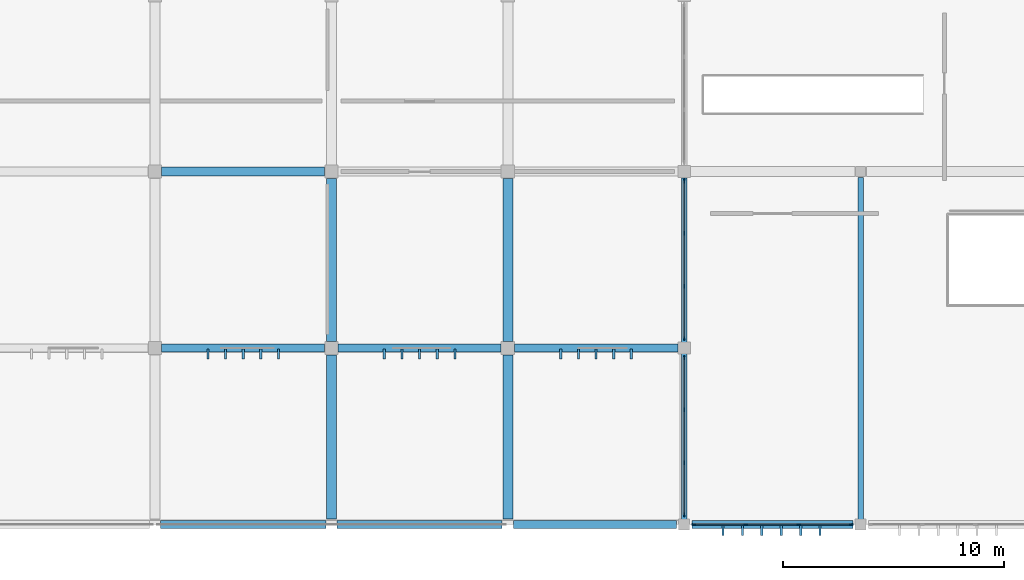
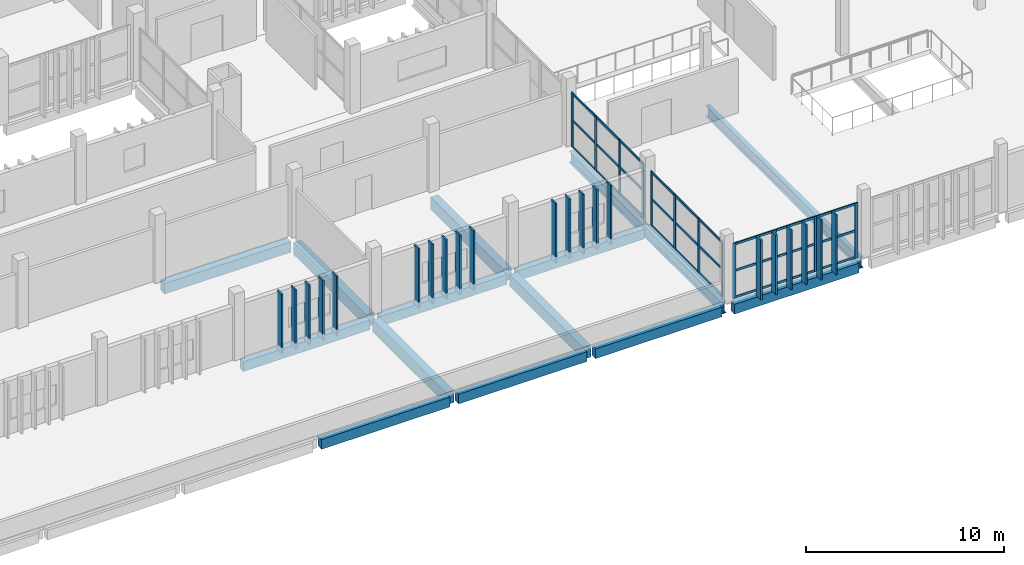
# One storey, part 53 of 137: 60 members, 14 beams, 3 elements without a shape of their own.
"""IFC4 building model written with IfcOpenShell, lengths in metres."""

from ifc_helpers import new_model, si_unit, direction, frame, origin, origin_2d, place, context, subcontext, project, spatial, rectangle, i_section, extrude, material, layer, layer_set, material_profile, profile_set, type_object, element, aggregate, save


model = new_model("IFC4")

# Units and contexts
model_context = context("Model", 3, precision=1e-05, world=origin(), true_north=direction((0.0, 1.0)))
body_context = subcontext(model_context, "Body", "Model", "MODEL_VIEW")
ifc_project = project(units=[si_unit("LENGTHUNIT", "METRE"), si_unit("AREAUNIT", "SQUARE_METRE"), si_unit("VOLUMEUNIT", "CUBIC_METRE"), si_unit("PLANEANGLEUNIT", "RADIAN"), si_unit("MASSUNIT", "GRAM", prefix="KILO")], contexts=[model_context])

# Site, building, storey
site_placement = place(None, origin())
site = spatial("IfcSite", under=ifc_project, at=site_placement, CompositionType="ELEMENT")
building_placement = place(site_placement, origin())
building = spatial("IfcBuilding", under=site, at=building_placement, Name="Jelvoka-Kovrelna Polytechnic", CompositionType="ELEMENT")
storey_placement = place(building_placement, frame((0.0, 0.0, 9.60009765625)))
storey = spatial("IfcBuildingStorey", under=building, at=storey_placement, Name="L03", CompositionType="ELEMENT", Elevation=9.60009765625)

# Beams
ifc_material_1 = material(Name="Concrete C40/50", Category="concrete")
ifc_material_profile_1 = material_profile(ifc_material_1, rectangle(XDim=0.39990234375, YDim=0.64990234375, at=origin_2d()), Name="RC 400x650")
ifc_profile_set_1 = profile_set([ifc_material_profile_1], Name="Concrete C40/50")
beam_type_1 = type_object("IfcBeamType", Name="Beam_RC_400x650", PredefinedType="BEAM", material=ifc_profile_set_1)
beam_1_placement = place(storey_placement, frame((136.304931640625, 16.0, -0.590087890625), z_axis=(1.0, 0.0, 0.0), x_axis=(0.0, 1.0, 0.0)))
element("IfcBeam", 1, at=beam_1_placement, inside=storey, type_object=beam_type_1, Name="L03 beam 0908", PredefinedType="BEAM", context=body_context, shape_type="SweptSolid", body=[
    extrude(rectangle(XDim=0.39990234375, YDim=0.64990234375, at=origin_2d()), origin(), (0.0, 0.0, 1.0), 7.39013671875),
])
ifc_material_2 = material(Name="Concrete C40/50", Category="concrete")
ifc_material_profile_2 = material_profile(ifc_material_2, rectangle(XDim=0.449951171875, YDim=0.75, at=origin_2d()), Name="RC 450x750")
ifc_profile_set_2 = profile_set([ifc_material_profile_2], Name="Concrete C40/50")
beam_type_2 = type_object("IfcBeamType", Name="Beam_RC_450x750", PredefinedType="BEAM", material=ifc_profile_set_2)
for number, where, z_axis, x_axis, name in (
    (2, (144.0, 8.304931640625, -0.64013671875), (0.0, 1.0, 0.0), (-1.0, 0.0, 0.0), "L03 beam 0923"),
    (3, (152.0, 8.304931640625, -0.64013671875), (0.0, 1.0, 0.0), (-1.0, 0.0, 0.0), "L03 beam 0925"),
):
    element("IfcBeam", number, at=place(storey_placement, frame(where, z_axis=z_axis, x_axis=x_axis)), inside=storey, type_object=beam_type_2, Name=name, PredefinedType="BEAM", context=body_context, shape_type="SweptSolid", body=[
        extrude(rectangle(XDim=0.449951171875, YDim=0.75, at=origin_2d()), origin(), (0.0, 0.0, 1.0), 7.39013671875),
    ])
for number, where, z_axis, x_axis, name in (
    (4, (144.0, 0.2548828125, -0.565185546875), (0.0, 1.0, 0.0), (-1.0, 0.0, 0.0), "L03 beam 2059"),
    (5, (152.0, 0.2548828125, -0.565185546875), (0.0, 1.0, 0.0), (-1.0, 0.0, 0.0), "L03 beam 2060"),
):
    element("IfcBeam", number, at=place(storey_placement, frame(where, z_axis=z_axis, x_axis=x_axis)), inside=storey, type_object=beam_type_2, Name=name, PredefinedType="BEAM", context=body_context, shape_type="SweptSolid", body=[
        extrude(rectangle(XDim=0.449951171875, YDim=0.75, at=origin_2d()), origin(), (0.0, 0.0, 1.0), 7.440185546875),
    ])
ifc_material_3 = material(Name="Structural steel S355JR", Category="steel")
ifc_material_profile_3 = material_profile(ifc_material_3, i_section(OverallWidth=0.2529296875, OverallDepth=0.677978515625, WebThickness=0.01171875, FlangeThickness=0.01611328125, FilletRadius=0.01513671875, at=origin_2d()), Name="686x254x125 UB")
ifc_profile_set_3 = profile_set([ifc_material_profile_3], Name="Structural steel S355JR")
beam_type_3 = type_object("IfcBeamType", Name="Girder_Steel_UB686", PredefinedType="BEAM", material=ifc_profile_set_3)
beam_2_placement = place(storey_placement, frame((160.0, 0.22998046875, -0.6240234375), z_axis=(0.0, 1.0, 0.0), x_axis=(-1.0, 0.0, 0.0)))
element("IfcBeam", 6, at=beam_2_placement, inside=storey, type_object=beam_type_3, Name="L03 beam 0207", PredefinedType="BEAM", context=body_context, shape_type="SweptSolid", body=[
    extrude(i_section(OverallWidth=0.2529296875, OverallDepth=0.677978515625, WebThickness=0.01171875, FlangeThickness=0.01611328125, FilletRadius=0.01513671875, at=origin_2d()), origin(), (0.0, 0.0, 1.0), 15.489990234375),
])
beam_3_placement = place(storey_placement, frame((168.0, 0.22998046875, -0.6240234375), z_axis=(0.0, 1.0, 0.0), x_axis=(-1.0, 0.0, 0.0)))
element("IfcBeam", 7, at=beam_3_placement, inside=storey, type_object=beam_type_3, Name="L03 beam 0209", PredefinedType="BEAM", context=body_context, shape_type="SweptSolid", body=[
    extrude(i_section(OverallWidth=0.2529296875, OverallDepth=0.677978515625, WebThickness=0.01171875, FlangeThickness=0.01611328125, FilletRadius=0.01513671875, at=origin_2d()), origin(), (0.0, 0.0, 1.0), 15.51513671875),
])

# Members
ifc_material_4 = material(Name="Precast concrete C40/50", Category="concrete")
ifc_material_profile_4 = material_profile(ifc_material_4, rectangle(XDim=0.10009765625, YDim=0.449951171875, at=origin_2d()), Name="PC 100x450")
ifc_profile_set_4 = profile_set([ifc_material_profile_4], Name="Precast concrete C40/50")
member_type_1 = type_object("IfcMemberType", Name="Louvre_Fin_100x450", PredefinedType="USERDEFINED", material=ifc_profile_set_4)
for number, where, z_axis, x_axis, name in (
    (8, (138.39990234375, 7.735107421875, -0.27001953125), (0.0, 0.0, 1.0), (1.0, 0.0, 0.0), "L03 B1 south vertical solar louvre fin 0311"),
    (9, (139.199951171875, 7.735107421875, -0.27001953125), (0.0, 0.0, 1.0), (1.0, 0.0, 0.0), "L03 B1 south vertical solar louvre fin 0312"),
    (10, (140.0, 7.735107421875, -0.27001953125), (0.0, 0.0, 1.0), (1.0, 0.0, 0.0), "L03 B1 south vertical solar louvre fin 0313"),
    (11, (140.800048828125, 7.735107421875, -0.27001953125), (0.0, 0.0, 1.0), (1.0, 0.0, 0.0), "L03 B1 south vertical solar louvre fin 0314"),
    (12, (141.60009765625, 7.735107421875, -0.27001953125), (0.0, 0.0, 1.0), (1.0, 0.0, 0.0), "L03 B1 south vertical solar louvre fin 0315"),
    (13, (146.39990234375, 7.735107421875, -0.27001953125), (0.0, 0.0, 1.0), (1.0, 0.0, 0.0), "L03 B1 south vertical solar louvre fin 0321"),
    (14, (147.199951171875, 7.735107421875, -0.27001953125), (0.0, 0.0, 1.0), (1.0, 0.0, 0.0), "L03 B1 south vertical solar louvre fin 0322"),
    (15, (148.0, 7.735107421875, -0.27001953125), (0.0, 0.0, 1.0), (1.0, 0.0, 0.0), "L03 B1 south vertical solar louvre fin 0323"),
    (16, (148.800048828125, 7.735107421875, -0.27001953125), (0.0, 0.0, 1.0), (1.0, 0.0, 0.0), "L03 B1 south vertical solar louvre fin 0324"),
    (17, (149.60009765625, 7.735107421875, -0.27001953125), (0.0, 0.0, 1.0), (1.0, 0.0, 0.0), "L03 B1 south vertical solar louvre fin 0325"),
    (18, (154.39990234375, 7.735107421875, -0.27001953125), (0.0, 0.0, 1.0), (1.0, 0.0, 0.0), "L03 B1 south vertical solar louvre fin 0326"),
    (19, (155.199951171875, 7.735107421875, -0.27001953125), (0.0, 0.0, 1.0), (1.0, 0.0, 0.0), "L03 B1 south vertical solar louvre fin 0327"),
    (20, (156.0, 7.735107421875, -0.27001953125), (0.0, 0.0, 1.0), (1.0, 0.0, 0.0), "L03 B1 south vertical solar louvre fin 0328"),
    (21, (156.800048828125, 7.735107421875, -0.27001953125), (0.0, 0.0, 1.0), (1.0, 0.0, 0.0), "L03 B1 south vertical solar louvre fin 0329"),
    (22, (157.60009765625, 7.735107421875, -0.27001953125), (0.0, 0.0, 1.0), (1.0, 0.0, 0.0), "L03 B1 south vertical solar louvre fin 0330"),
):
    element("IfcMember", number, at=place(storey_placement, frame(where, z_axis=z_axis, x_axis=x_axis)), inside=storey, type_object=member_type_1, Name=name, ObjectType="SUNSHADE", PredefinedType="USERDEFINED", context=body_context, shape_type="SweptSolid", body=[
        extrude(rectangle(XDim=0.10009765625, YDim=0.449951171875, at=origin_2d()), origin(), (0.0, 0.0, 1.0), 3.64501953125),
    ])
for number, where, z_axis, x_axis, name in (
    (23, (161.760009765625, -0.264892578125, -0.2900390625), (0.0, 0.0, 1.0), (1.0, 0.0, 0.0), "L03 V5 south solar louvre fin 2566"),
    (24, (162.639892578125, -0.264892578125, -0.2900390625), (0.0, 0.0, 1.0), (1.0, 0.0, 0.0), "L03 V5 south solar louvre fin 2567"),
    (25, (163.52001953125, -0.264892578125, -0.2900390625), (0.0, 0.0, 1.0), (1.0, 0.0, 0.0), "L03 V5 south solar louvre fin 2568"),
    (26, (164.39990234375, -0.264892578125, -0.2900390625), (0.0, 0.0, 1.0), (1.0, 0.0, 0.0), "L03 V5 south solar louvre fin 2569"),
    (27, (165.280029296875, -0.264892578125, -0.2900390625), (0.0, 0.0, 1.0), (1.0, 0.0, 0.0), "L03 V5 south solar louvre fin 2570"),
    (28, (166.159912109375, -0.264892578125, -0.2900390625), (0.0, 0.0, 1.0), (1.0, 0.0, 0.0), "L03 V5 south solar louvre fin 2571"),
):
    element("IfcMember", number, at=place(storey_placement, frame(where, z_axis=z_axis, x_axis=x_axis)), inside=storey, type_object=member_type_1, Name=name, ObjectType="SUNSHADE", PredefinedType="USERDEFINED", context=body_context, shape_type="SweptSolid", body=[
        extrude(rectangle(XDim=0.10009765625, YDim=0.449951171875, at=origin_2d()), origin(), (0.0, 0.0, 1.0), 3.68994140625),
    ])

# Curtain wall, members
ifc_material_5 = material(Name="Anodised aluminium 6063-T6", Category="aluminium")
ifc_layer = layer(ifc_material_5, 0.179931640625)
ifc_layer_set = layer_set([ifc_layer], Name="Anodised aluminium 6063-T6")
curtain_wall_type = type_object("IfcCurtainWallType", Name="CW_Pavilion", PredefinedType="NOTDEFINED", material=ifc_layer_set)
curtain_wall_1_placement = place(storey_placement, origin())
curtain_wall_1 = element("IfcCurtainWall", 29, at=curtain_wall_1_placement, inside=storey, type_object=curtain_wall_type, Name="L03 glazed curtain wall 290", PredefinedType="NOTDEFINED")
ifc_material_6 = material(Name="Anodised aluminium 6063-T6", Category="aluminium")
ifc_material_profile_5 = material_profile(ifc_material_6, rectangle(XDim=0.06494140625, YDim=0.179931640625, at=origin_2d()), Name="ALU 65x180")
ifc_profile_set_5 = profile_set([ifc_material_profile_5], Name="Anodised aluminium 6063-T6")
member_type_2 = type_object("IfcMemberType", Name="Mullion_M-05", PredefinedType="MULLION", material=ifc_profile_set_5)
member_1_placement = place(storey_placement, frame((167.5673828125, 0.0, -0.02490234375), z_axis=(0.0, 0.0, 1.0), x_axis=(0.0, -1.0, 0.0)))
member_1 = element("IfcMember", 30, at=member_1_placement, type_object=member_type_2, Name="CW-05 mullion 1", PredefinedType="MULLION", context=body_context, shape_type="SweptSolid", body=[
    extrude(rectangle(XDim=0.06494140625, YDim=0.179931640625, at=origin_2d()), origin(), (0.0, 0.0, 1.0), 3.39990234375),
])
member_2_placement = place(storey_placement, frame((165.199951171875, 0.0, -0.02490234375), z_axis=(0.0, 0.0, 1.0), x_axis=(0.0, -1.0, 0.0)))
member_2 = element("IfcMember", 31, at=member_2_placement, type_object=member_type_2, Name="CW-05 mullion 2", PredefinedType="MULLION", context=body_context, shape_type="SweptSolid", body=[
    extrude(rectangle(XDim=0.06494140625, YDim=0.179931640625, at=origin_2d()), origin(), (0.0, 0.0, 1.0), 3.39990234375),
])
member_3_placement = place(storey_placement, frame((162.800048828125, 0.0, -0.02490234375), z_axis=(0.0, 0.0, 1.0), x_axis=(0.0, -1.0, 0.0)))
member_3 = element("IfcMember", 32, at=member_3_placement, type_object=member_type_2, Name="CW-05 mullion 3", PredefinedType="MULLION", context=body_context, shape_type="SweptSolid", body=[
    extrude(rectangle(XDim=0.06494140625, YDim=0.179931640625, at=origin_2d()), origin(), (0.0, 0.0, 1.0), 3.39990234375),
])
member_4_placement = place(storey_placement, frame((160.4326171875, 0.0, -0.02490234375), z_axis=(0.0, 0.0, 1.0), x_axis=(0.0, -1.0, 0.0)))
member_4 = element("IfcMember", 33, at=member_4_placement, type_object=member_type_2, Name="CW-05 mullion 4", PredefinedType="MULLION", context=body_context, shape_type="SweptSolid", body=[
    extrude(rectangle(XDim=0.06494140625, YDim=0.179931640625, at=origin_2d()), origin(), (0.0, 0.0, 1.0), 3.39990234375),
])

curtain_wall_2_placement = place(storey_placement, origin())
curtain_wall_2 = element("IfcCurtainWall", 34, at=curtain_wall_2_placement, inside=storey, type_object=curtain_wall_type, Name="L03 glazed curtain wall 294", PredefinedType="NOTDEFINED")
member_5_placement = place(storey_placement, frame((160.0, 0.4326171875, -0.02490234375), z_axis=(0.0, 0.0, 1.0), x_axis=(-1.0, 0.0, 0.0)))
member_5 = element("IfcMember", 35, at=member_5_placement, type_object=member_type_2, Name="CW-05 mullion 1", PredefinedType="MULLION", context=body_context, shape_type="SweptSolid", body=[
    extrude(rectangle(XDim=0.06494140625, YDim=0.179931640625, at=origin_2d()), origin(), (0.0, 0.0, 1.0), 3.39990234375),
])
member_6_placement = place(storey_placement, frame((160.0, 2.800048828125, -0.02490234375), z_axis=(0.0, 0.0, 1.0), x_axis=(-1.0, 0.0, 0.0)))
member_6 = element("IfcMember", 36, at=member_6_placement, type_object=member_type_2, Name="CW-05 mullion 2", PredefinedType="MULLION", context=body_context, shape_type="SweptSolid", body=[
    extrude(rectangle(XDim=0.06494140625, YDim=0.179931640625, at=origin_2d()), origin(), (0.0, 0.0, 1.0), 3.39990234375),
])
member_7_placement = place(storey_placement, frame((160.0, 5.199951171875, -0.02490234375), z_axis=(0.0, 0.0, 1.0), x_axis=(-1.0, 0.0, 0.0)))
member_7 = element("IfcMember", 37, at=member_7_placement, type_object=member_type_2, Name="CW-05 mullion 3", PredefinedType="MULLION", context=body_context, shape_type="SweptSolid", body=[
    extrude(rectangle(XDim=0.06494140625, YDim=0.179931640625, at=origin_2d()), origin(), (0.0, 0.0, 1.0), 3.39990234375),
])
member_8_placement = place(storey_placement, frame((160.0, 7.5673828125, -0.02490234375), z_axis=(0.0, 0.0, 1.0), x_axis=(-1.0, 0.0, 0.0)))
member_8 = element("IfcMember", 38, at=member_8_placement, type_object=member_type_2, Name="CW-05 mullion 4", PredefinedType="MULLION", context=body_context, shape_type="SweptSolid", body=[
    extrude(rectangle(XDim=0.06494140625, YDim=0.179931640625, at=origin_2d()), origin(), (0.0, 0.0, 1.0), 3.39990234375),
])

curtain_wall_3_placement = place(storey_placement, origin())
curtain_wall_3 = element("IfcCurtainWall", 39, at=curtain_wall_3_placement, inside=storey, type_object=curtain_wall_type, Name="L03 glazed curtain wall 295", PredefinedType="NOTDEFINED")
member_9_placement = place(storey_placement, frame((160.0, 8.4326171875, -0.02490234375), z_axis=(0.0, 0.0, 1.0), x_axis=(-1.0, 0.0, 0.0)))
member_9 = element("IfcMember", 40, at=member_9_placement, type_object=member_type_2, Name="CW-05 mullion 1", PredefinedType="MULLION", context=body_context, shape_type="SweptSolid", body=[
    extrude(rectangle(XDim=0.06494140625, YDim=0.179931640625, at=origin_2d()), origin(), (0.0, 0.0, 1.0), 3.39990234375),
])
member_10_placement = place(storey_placement, frame((160.0, 10.800048828125, -0.02490234375), z_axis=(0.0, 0.0, 1.0), x_axis=(-1.0, 0.0, 0.0)))
member_10 = element("IfcMember", 41, at=member_10_placement, type_object=member_type_2, Name="CW-05 mullion 2", PredefinedType="MULLION", context=body_context, shape_type="SweptSolid", body=[
    extrude(rectangle(XDim=0.06494140625, YDim=0.179931640625, at=origin_2d()), origin(), (0.0, 0.0, 1.0), 3.39990234375),
])
member_11_placement = place(storey_placement, frame((160.0, 13.199951171875, -0.02490234375), z_axis=(0.0, 0.0, 1.0), x_axis=(-1.0, 0.0, 0.0)))
member_11 = element("IfcMember", 42, at=member_11_placement, type_object=member_type_2, Name="CW-05 mullion 3", PredefinedType="MULLION", context=body_context, shape_type="SweptSolid", body=[
    extrude(rectangle(XDim=0.06494140625, YDim=0.179931640625, at=origin_2d()), origin(), (0.0, 0.0, 1.0), 3.39990234375),
])
member_12_placement = place(storey_placement, frame((160.0, 15.5673828125, -0.02490234375), z_axis=(0.0, 0.0, 1.0), x_axis=(-1.0, 0.0, 0.0)))
member_12 = element("IfcMember", 43, at=member_12_placement, type_object=member_type_2, Name="CW-05 mullion 4", PredefinedType="MULLION", context=body_context, shape_type="SweptSolid", body=[
    extrude(rectangle(XDim=0.06494140625, YDim=0.179931640625, at=origin_2d()), origin(), (0.0, 0.0, 1.0), 3.39990234375),
])

# Beams
ifc_material_7 = material(Name="Concrete C40/50", Category="concrete")
ifc_material_profile_6 = material_profile(ifc_material_7, rectangle(XDim=0.35009765625, YDim=0.60009765625, at=origin_2d()), Name="RC 350x600")
ifc_profile_set_6 = profile_set([ifc_material_profile_6], Name="Concrete C40/50")
beam_type_4 = type_object("IfcBeamType", Name="Spandrel_RC_350x600", PredefinedType="SPANDREL", material=ifc_profile_set_6)
beam_4_placement = place(storey_placement, frame((160.35498046875, 0.0, -0.585205078125), z_axis=(1.0, 0.0, 0.0), x_axis=(0.0, 1.0, 0.0)))
element("IfcBeam", 44, at=beam_4_placement, inside=storey, type_object=beam_type_4, Name="L03 beam 0218", PredefinedType="SPANDREL", context=body_context, shape_type="SweptSolid", body=[
    extrude(rectangle(XDim=0.35009765625, YDim=0.60009765625, at=origin_2d()), origin(), (0.0, 0.0, 1.0), 7.2900390625),
])
for number, where, z_axis, x_axis, name in (
    (45, (136.304931640625, 8.0, -0.565185546875), (1.0, 0.0, 0.0), (0.0, 1.0, 0.0), "L03 beam 0902"),
    (46, (144.304931640625, 8.0, -0.565185546875), (1.0, 0.0, 0.0), (0.0, 1.0, 0.0), "L03 beam 0903"),
):
    element("IfcBeam", number, at=place(storey_placement, frame(where, z_axis=z_axis, x_axis=x_axis)), inside=storey, type_object=beam_type_4, Name=name, PredefinedType="SPANDREL", context=body_context, shape_type="SweptSolid", body=[
        extrude(rectangle(XDim=0.35009765625, YDim=0.60009765625, at=origin_2d()), origin(), (0.0, 0.0, 1.0), 7.39013671875),
    ])
beam_5_placement = place(storey_placement, frame((152.304931640625, 8.0, -0.565185546875), z_axis=(1.0, 0.0, 0.0), x_axis=(0.0, 1.0, 0.0)))
element("IfcBeam", 47, at=beam_5_placement, inside=storey, type_object=beam_type_4, Name="L03 beam 0904", PredefinedType="SPANDREL", context=body_context, shape_type="SweptSolid", body=[
    extrude(rectangle(XDim=0.35009765625, YDim=0.60009765625, at=origin_2d()), origin(), (0.0, 0.0, 1.0), 7.4150390625),
])
for number, where, z_axis, x_axis, name in (
    (48, (136.2548828125, 0.0, -0.489990234375), (1.0, 0.0, 0.0), (0.0, 1.0, 0.0), "L03 beam 2044"),
    (49, (144.2548828125, 0.0, -0.489990234375), (1.0, 0.0, 0.0), (0.0, 1.0, 0.0), "L03 beam 2045"),
):
    element("IfcBeam", number, at=place(storey_placement, frame(where, z_axis=z_axis, x_axis=x_axis)), inside=storey, type_object=beam_type_4, Name=name, PredefinedType="SPANDREL", context=body_context, shape_type="SweptSolid", body=[
        extrude(rectangle(XDim=0.35009765625, YDim=0.60009765625, at=origin_2d()), origin(), (0.0, 0.0, 1.0), 7.490234375),
    ])
beam_6_placement = place(storey_placement, frame((152.2548828125, 0.0, -0.489990234375), z_axis=(1.0, 0.0, 0.0), x_axis=(0.0, 1.0, 0.0)))
element("IfcBeam", 50, at=beam_6_placement, inside=storey, type_object=beam_type_4, Name="L03 beam 2046", PredefinedType="SPANDREL", context=body_context, shape_type="SweptSolid", body=[
    extrude(rectangle(XDim=0.35009765625, YDim=0.60009765625, at=origin_2d()), origin(), (0.0, 0.0, 1.0), 7.39013671875),
])

# Member
ifc_material_8 = material(Name="Anodised aluminium 6063-T6", Category="aluminium")
ifc_material_profile_7 = material_profile(ifc_material_8, rectangle(XDim=0.06494140625, YDim=0.135009765625, at=origin_2d()), Name="ALU 65x135")
ifc_profile_set_7 = profile_set([ifc_material_profile_7], Name="Anodised aluminium 6063-T6")
member_type_3 = type_object("IfcMemberType", Name="Transom_T-05", PredefinedType="USERDEFINED", material=ifc_profile_set_7)
member_13_placement = place(storey_placement, frame((167.534912109375, 0.0, 0.032470703125), z_axis=(-1.0, 0.0, 0.0), x_axis=(0.0, -1.0, 0.0)))
member_13 = element("IfcMember", 51, at=member_13_placement, type_object=member_type_3, Name="CW-05 transom 1.1", ObjectType="TRANSOM", PredefinedType="USERDEFINED", context=body_context, shape_type="SweptSolid", body=[
    extrude(rectangle(XDim=0.06494140625, YDim=0.135009765625, at=origin_2d()), origin(), (0.0, 0.0, 1.0), 2.302490234375),
])

member_14_placement = place(storey_placement, frame((167.534912109375, 0.0, 1.6748046875), z_axis=(-1.0, 0.0, 0.0), x_axis=(0.0, -1.0, 0.0)))
member_14 = element("IfcMember", 52, at=member_14_placement, type_object=member_type_3, Name="CW-05 transom 1.2", ObjectType="TRANSOM", PredefinedType="USERDEFINED", context=body_context, shape_type="SweptSolid", body=[
    extrude(rectangle(XDim=0.06494140625, YDim=0.135009765625, at=origin_2d()), origin(), (0.0, 0.0, 1.0), 2.302490234375),
])

member_15_placement = place(storey_placement, frame((167.534912109375, 0.0, 3.3173828125), z_axis=(-1.0, 0.0, 0.0), x_axis=(0.0, -1.0, 0.0)))
member_15 = element("IfcMember", 53, at=member_15_placement, type_object=member_type_3, Name="CW-05 transom 1.3", ObjectType="TRANSOM", PredefinedType="USERDEFINED", context=body_context, shape_type="SweptSolid", body=[
    extrude(rectangle(XDim=0.06494140625, YDim=0.135009765625, at=origin_2d()), origin(), (0.0, 0.0, 1.0), 2.302490234375),
])

member_16_placement = place(storey_placement, frame((165.16748046875, 0.0, 0.032470703125), z_axis=(-1.0, 0.0, 0.0), x_axis=(0.0, -1.0, 0.0)))
member_16 = element("IfcMember", 54, at=member_16_placement, type_object=member_type_3, Name="CW-05 transom 2.1", ObjectType="TRANSOM", PredefinedType="USERDEFINED", context=body_context, shape_type="SweptSolid", body=[
    extrude(rectangle(XDim=0.06494140625, YDim=0.135009765625, at=origin_2d()), origin(), (0.0, 0.0, 1.0), 2.3349609375),
])

member_17_placement = place(storey_placement, frame((165.16748046875, 0.0, 1.6748046875), z_axis=(-1.0, 0.0, 0.0), x_axis=(0.0, -1.0, 0.0)))
member_17 = element("IfcMember", 55, at=member_17_placement, type_object=member_type_3, Name="CW-05 transom 2.2", ObjectType="TRANSOM", PredefinedType="USERDEFINED", context=body_context, shape_type="SweptSolid", body=[
    extrude(rectangle(XDim=0.06494140625, YDim=0.135009765625, at=origin_2d()), origin(), (0.0, 0.0, 1.0), 2.3349609375),
])

member_18_placement = place(storey_placement, frame((165.16748046875, 0.0, 3.3173828125), z_axis=(-1.0, 0.0, 0.0), x_axis=(0.0, -1.0, 0.0)))
member_18 = element("IfcMember", 56, at=member_18_placement, type_object=member_type_3, Name="CW-05 transom 2.3", ObjectType="TRANSOM", PredefinedType="USERDEFINED", context=body_context, shape_type="SweptSolid", body=[
    extrude(rectangle(XDim=0.06494140625, YDim=0.135009765625, at=origin_2d()), origin(), (0.0, 0.0, 1.0), 2.3349609375),
])

member_19_placement = place(storey_placement, frame((162.767578125, 0.0, 0.032470703125), z_axis=(-1.0, 0.0, 0.0), x_axis=(0.0, -1.0, 0.0)))
member_19 = element("IfcMember", 57, at=member_19_placement, type_object=member_type_3, Name="CW-05 transom 3.1", ObjectType="TRANSOM", PredefinedType="USERDEFINED", context=body_context, shape_type="SweptSolid", body=[
    extrude(rectangle(XDim=0.06494140625, YDim=0.135009765625, at=origin_2d()), origin(), (0.0, 0.0, 1.0), 2.302490234375),
])

member_20_placement = place(storey_placement, frame((162.767578125, 0.0, 1.6748046875), z_axis=(-1.0, 0.0, 0.0), x_axis=(0.0, -1.0, 0.0)))
member_20 = element("IfcMember", 58, at=member_20_placement, type_object=member_type_3, Name="CW-05 transom 3.2", ObjectType="TRANSOM", PredefinedType="USERDEFINED", context=body_context, shape_type="SweptSolid", body=[
    extrude(rectangle(XDim=0.06494140625, YDim=0.135009765625, at=origin_2d()), origin(), (0.0, 0.0, 1.0), 2.302490234375),
])

member_21_placement = place(storey_placement, frame((162.767578125, 0.0, 3.3173828125), z_axis=(-1.0, 0.0, 0.0), x_axis=(0.0, -1.0, 0.0)))
member_21 = element("IfcMember", 59, at=member_21_placement, type_object=member_type_3, Name="CW-05 transom 3.3", ObjectType="TRANSOM", PredefinedType="USERDEFINED", context=body_context, shape_type="SweptSolid", body=[
    extrude(rectangle(XDim=0.06494140625, YDim=0.135009765625, at=origin_2d()), origin(), (0.0, 0.0, 1.0), 2.302490234375),
])

aggregate(curtain_wall_1, [member_1, member_2, member_3, member_4, member_13, member_14, member_15, member_16, member_17, member_18, member_19, member_20, member_21])

member_22_placement = place(storey_placement, frame((160.0, 0.465087890625, 0.032470703125), z_axis=(0.0, 1.0, 0.0), x_axis=(-1.0, 0.0, 0.0)))
member_22 = element("IfcMember", 60, at=member_22_placement, type_object=member_type_3, Name="CW-05 transom 1.1", ObjectType="TRANSOM", PredefinedType="USERDEFINED", context=body_context, shape_type="SweptSolid", body=[
    extrude(rectangle(XDim=0.06494140625, YDim=0.135009765625, at=origin_2d()), origin(), (0.0, 0.0, 1.0), 2.302490234375),
])

member_23_placement = place(storey_placement, frame((160.0, 0.465087890625, 1.6748046875), z_axis=(0.0, 1.0, 0.0), x_axis=(-1.0, 0.0, 0.0)))
member_23 = element("IfcMember", 61, at=member_23_placement, type_object=member_type_3, Name="CW-05 transom 1.2", ObjectType="TRANSOM", PredefinedType="USERDEFINED", context=body_context, shape_type="SweptSolid", body=[
    extrude(rectangle(XDim=0.06494140625, YDim=0.135009765625, at=origin_2d()), origin(), (0.0, 0.0, 1.0), 2.302490234375),
])

member_24_placement = place(storey_placement, frame((160.0, 0.465087890625, 3.3173828125), z_axis=(0.0, 1.0, 0.0), x_axis=(-1.0, 0.0, 0.0)))
member_24 = element("IfcMember", 62, at=member_24_placement, type_object=member_type_3, Name="CW-05 transom 1.3", ObjectType="TRANSOM", PredefinedType="USERDEFINED", context=body_context, shape_type="SweptSolid", body=[
    extrude(rectangle(XDim=0.06494140625, YDim=0.135009765625, at=origin_2d()), origin(), (0.0, 0.0, 1.0), 2.302490234375),
])

member_25_placement = place(storey_placement, frame((160.0, 2.83251953125, 0.032470703125), z_axis=(0.0, 1.0, 0.0), x_axis=(-1.0, 0.0, 0.0)))
member_25 = element("IfcMember", 63, at=member_25_placement, type_object=member_type_3, Name="CW-05 transom 2.1", ObjectType="TRANSOM", PredefinedType="USERDEFINED", context=body_context, shape_type="SweptSolid", body=[
    extrude(rectangle(XDim=0.06494140625, YDim=0.135009765625, at=origin_2d()), origin(), (0.0, 0.0, 1.0), 2.3349609375),
])

member_26_placement = place(storey_placement, frame((160.0, 2.83251953125, 1.6748046875), z_axis=(0.0, 1.0, 0.0), x_axis=(-1.0, 0.0, 0.0)))
member_26 = element("IfcMember", 64, at=member_26_placement, type_object=member_type_3, Name="CW-05 transom 2.2", ObjectType="TRANSOM", PredefinedType="USERDEFINED", context=body_context, shape_type="SweptSolid", body=[
    extrude(rectangle(XDim=0.06494140625, YDim=0.135009765625, at=origin_2d()), origin(), (0.0, 0.0, 1.0), 2.3349609375),
])

member_27_placement = place(storey_placement, frame((160.0, 2.83251953125, 3.3173828125), z_axis=(0.0, 1.0, 0.0), x_axis=(-1.0, 0.0, 0.0)))
member_27 = element("IfcMember", 65, at=member_27_placement, type_object=member_type_3, Name="CW-05 transom 2.3", ObjectType="TRANSOM", PredefinedType="USERDEFINED", context=body_context, shape_type="SweptSolid", body=[
    extrude(rectangle(XDim=0.06494140625, YDim=0.135009765625, at=origin_2d()), origin(), (0.0, 0.0, 1.0), 2.3349609375),
])

member_28_placement = place(storey_placement, frame((160.0, 5.232421875, 0.032470703125), z_axis=(0.0, 1.0, 0.0), x_axis=(-1.0, 0.0, 0.0)))
member_28 = element("IfcMember", 66, at=member_28_placement, type_object=member_type_3, Name="CW-05 transom 3.1", ObjectType="TRANSOM", PredefinedType="USERDEFINED", context=body_context, shape_type="SweptSolid", body=[
    extrude(rectangle(XDim=0.06494140625, YDim=0.135009765625, at=origin_2d()), origin(), (0.0, 0.0, 1.0), 2.302490234375),
])

member_29_placement = place(storey_placement, frame((160.0, 5.232421875, 1.6748046875), z_axis=(0.0, 1.0, 0.0), x_axis=(-1.0, 0.0, 0.0)))
member_29 = element("IfcMember", 67, at=member_29_placement, type_object=member_type_3, Name="CW-05 transom 3.2", ObjectType="TRANSOM", PredefinedType="USERDEFINED", context=body_context, shape_type="SweptSolid", body=[
    extrude(rectangle(XDim=0.06494140625, YDim=0.135009765625, at=origin_2d()), origin(), (0.0, 0.0, 1.0), 2.302490234375),
])

member_30_placement = place(storey_placement, frame((160.0, 5.232421875, 3.3173828125), z_axis=(0.0, 1.0, 0.0), x_axis=(-1.0, 0.0, 0.0)))
member_30 = element("IfcMember", 68, at=member_30_placement, type_object=member_type_3, Name="CW-05 transom 3.3", ObjectType="TRANSOM", PredefinedType="USERDEFINED", context=body_context, shape_type="SweptSolid", body=[
    extrude(rectangle(XDim=0.06494140625, YDim=0.135009765625, at=origin_2d()), origin(), (0.0, 0.0, 1.0), 2.302490234375),
])

aggregate(curtain_wall_2, [member_5, member_6, member_7, member_8, member_22, member_23, member_24, member_25, member_26, member_27, member_28, member_29, member_30])

member_31_placement = place(storey_placement, frame((160.0, 8.465087890625, 0.032470703125), z_axis=(0.0, 1.0, 0.0), x_axis=(-1.0, 0.0, 0.0)))
member_31 = element("IfcMember", 69, at=member_31_placement, type_object=member_type_3, Name="CW-05 transom 1.1", ObjectType="TRANSOM", PredefinedType="USERDEFINED", context=body_context, shape_type="SweptSolid", body=[
    extrude(rectangle(XDim=0.06494140625, YDim=0.135009765625, at=origin_2d()), origin(), (0.0, 0.0, 1.0), 2.302490234375),
])

member_32_placement = place(storey_placement, frame((160.0, 8.465087890625, 1.6748046875), z_axis=(0.0, 1.0, 0.0), x_axis=(-1.0, 0.0, 0.0)))
member_32 = element("IfcMember", 70, at=member_32_placement, type_object=member_type_3, Name="CW-05 transom 1.2", ObjectType="TRANSOM", PredefinedType="USERDEFINED", context=body_context, shape_type="SweptSolid", body=[
    extrude(rectangle(XDim=0.06494140625, YDim=0.135009765625, at=origin_2d()), origin(), (0.0, 0.0, 1.0), 2.302490234375),
])

member_33_placement = place(storey_placement, frame((160.0, 8.465087890625, 3.3173828125), z_axis=(0.0, 1.0, 0.0), x_axis=(-1.0, 0.0, 0.0)))
member_33 = element("IfcMember", 71, at=member_33_placement, type_object=member_type_3, Name="CW-05 transom 1.3", ObjectType="TRANSOM", PredefinedType="USERDEFINED", context=body_context, shape_type="SweptSolid", body=[
    extrude(rectangle(XDim=0.06494140625, YDim=0.135009765625, at=origin_2d()), origin(), (0.0, 0.0, 1.0), 2.302490234375),
])

member_34_placement = place(storey_placement, frame((160.0, 10.83251953125, 0.032470703125), z_axis=(0.0, 1.0, 0.0), x_axis=(-1.0, 0.0, 0.0)))
member_34 = element("IfcMember", 72, at=member_34_placement, type_object=member_type_3, Name="CW-05 transom 2.1", ObjectType="TRANSOM", PredefinedType="USERDEFINED", context=body_context, shape_type="SweptSolid", body=[
    extrude(rectangle(XDim=0.06494140625, YDim=0.135009765625, at=origin_2d()), origin(), (0.0, 0.0, 1.0), 2.3349609375),
])

member_35_placement = place(storey_placement, frame((160.0, 10.83251953125, 1.6748046875), z_axis=(0.0, 1.0, 0.0), x_axis=(-1.0, 0.0, 0.0)))
member_35 = element("IfcMember", 73, at=member_35_placement, type_object=member_type_3, Name="CW-05 transom 2.2", ObjectType="TRANSOM", PredefinedType="USERDEFINED", context=body_context, shape_type="SweptSolid", body=[
    extrude(rectangle(XDim=0.06494140625, YDim=0.135009765625, at=origin_2d()), origin(), (0.0, 0.0, 1.0), 2.3349609375),
])

member_36_placement = place(storey_placement, frame((160.0, 10.83251953125, 3.3173828125), z_axis=(0.0, 1.0, 0.0), x_axis=(-1.0, 0.0, 0.0)))
member_36 = element("IfcMember", 74, at=member_36_placement, type_object=member_type_3, Name="CW-05 transom 2.3", ObjectType="TRANSOM", PredefinedType="USERDEFINED", context=body_context, shape_type="SweptSolid", body=[
    extrude(rectangle(XDim=0.06494140625, YDim=0.135009765625, at=origin_2d()), origin(), (0.0, 0.0, 1.0), 2.3349609375),
])

member_37_placement = place(storey_placement, frame((160.0, 13.232421875, 0.032470703125), z_axis=(0.0, 1.0, 0.0), x_axis=(-1.0, 0.0, 0.0)))
member_37 = element("IfcMember", 75, at=member_37_placement, type_object=member_type_3, Name="CW-05 transom 3.1", ObjectType="TRANSOM", PredefinedType="USERDEFINED", context=body_context, shape_type="SweptSolid", body=[
    extrude(rectangle(XDim=0.06494140625, YDim=0.135009765625, at=origin_2d()), origin(), (0.0, 0.0, 1.0), 2.302490234375),
])

member_38_placement = place(storey_placement, frame((160.0, 13.232421875, 1.6748046875), z_axis=(0.0, 1.0, 0.0), x_axis=(-1.0, 0.0, 0.0)))
member_38 = element("IfcMember", 76, at=member_38_placement, type_object=member_type_3, Name="CW-05 transom 3.2", ObjectType="TRANSOM", PredefinedType="USERDEFINED", context=body_context, shape_type="SweptSolid", body=[
    extrude(rectangle(XDim=0.06494140625, YDim=0.135009765625, at=origin_2d()), origin(), (0.0, 0.0, 1.0), 2.302490234375),
])

member_39_placement = place(storey_placement, frame((160.0, 13.232421875, 3.3173828125), z_axis=(0.0, 1.0, 0.0), x_axis=(-1.0, 0.0, 0.0)))
member_39 = element("IfcMember", 77, at=member_39_placement, type_object=member_type_3, Name="CW-05 transom 3.3", ObjectType="TRANSOM", PredefinedType="USERDEFINED", context=body_context, shape_type="SweptSolid", body=[
    extrude(rectangle(XDim=0.06494140625, YDim=0.135009765625, at=origin_2d()), origin(), (0.0, 0.0, 1.0), 2.302490234375),
])

aggregate(curtain_wall_3, [member_9, member_10, member_11, member_12, member_31, member_32, member_33, member_34, member_35, member_36, member_37, member_38, member_39])

save(model, "model.ifc")
